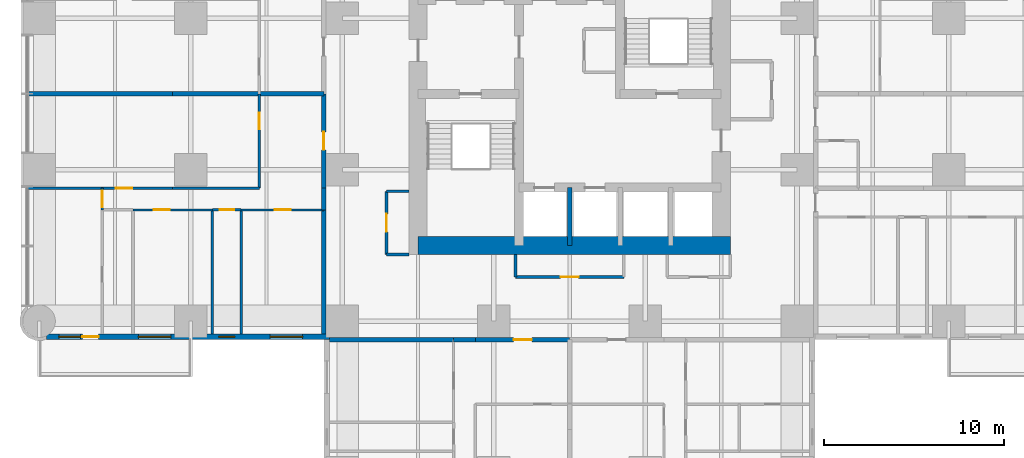
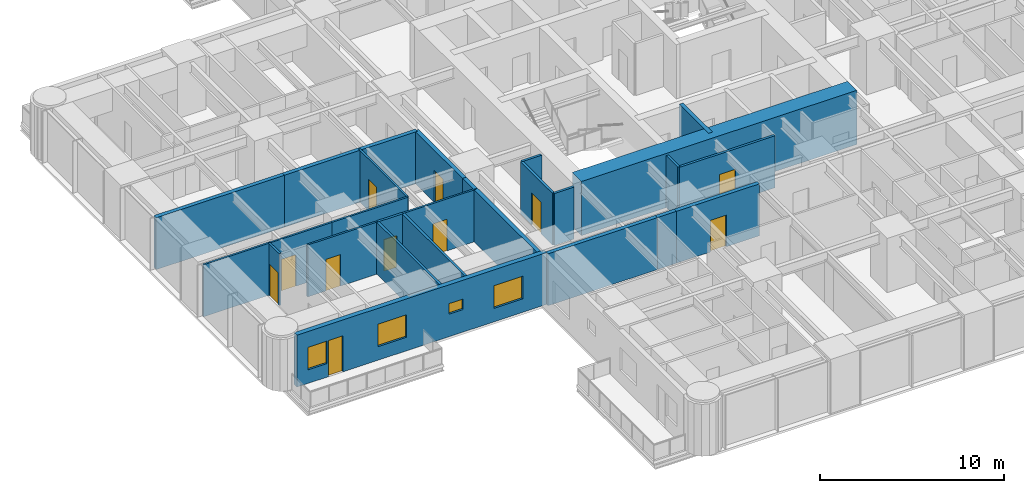
# One storey, part 8 of 17: 27 walls, 11 doors, 4 windows, 15 openings.
"""IFC4 building model written with IfcOpenShell, lengths in metres."""

from ifc_helpers import new_model, si_unit, direction, frame, frame_2d, origin, place, context, subcontext, project, spatial, rectangle, extrude, material, layer, layer_set, type_object, element, fill, save


model = new_model("IFC4")

# Units and contexts
model_context = context("Model", 3, precision=1e-05, world=origin(), true_north=direction((0.0, 1.0)))
body_context = subcontext(model_context, "Body", "Model", "MODEL_VIEW")
ifc_project = project(units=[si_unit("LENGTHUNIT", "METRE"), si_unit("AREAUNIT", "SQUARE_METRE"), si_unit("VOLUMEUNIT", "CUBIC_METRE"), si_unit("PLANEANGLEUNIT", "RADIAN"), si_unit("MASSUNIT", "GRAM", prefix="KILO")], contexts=[model_context])

# Site, building, storey
site_placement = place(None, origin())
site = spatial("IfcSite", under=ifc_project, at=site_placement, CompositionType="ELEMENT")
building_placement = place(site_placement, origin())
building = spatial("IfcBuilding", under=site, at=building_placement, Name="Torre Alcanfor", CompositionType="ELEMENT")
storey_placement = place(building_placement, frame((0.0, 0.0, 59.699951171875)))
storey = spatial("IfcBuildingStorey", under=building, at=storey_placement, Name="L14", CompositionType="ELEMENT", Elevation=59.699951171875)

# Wall, opening, door
ifc_material_1 = material(Name="Concrete block masonry, hollow blocks NMX-C-404 9 MPa", Category="masonry")
ifc_layer_1 = layer(ifc_material_1, 0.25)
ifc_layer_set_1 = layer_set([ifc_layer_1], Name="Apartment entrance wall 250 EI 60")
wall_type_1 = type_object("IfcWallType", Name="Apartment entrance wall 250 EI 60", PredefinedType="PARTITIONING", material=ifc_layer_set_1)
wall_1_placement = place(storey_placement, frame((29.39990234375, 15.77490234375, 0.0), z_axis=(0.0, 0.0, 1.0), x_axis=(-1.0, 0.0, 0.0)))
wall_1 = element("IfcWall", 1, at=wall_1_placement, inside=storey, type_object=wall_type_1, Name="Partition L14-CORR / L14-S2-ZAG", PredefinedType="PARTITIONING", context=body_context, shape_type="SweptSolid", body=[
    extrude(rectangle(XDim=5.22900390625, YDim=0.25, at=frame_2d((2.614501953125, 0.0))), origin(), (0.0, 0.0, 1.0), 3.449951171875),
])
opening_1_placement = place(wall_1_placement, frame((2.10009765625, 0.0, 0.0)))
opening_1 = element("IfcOpeningElement", 2, at=opening_1_placement, cuts=wall_1, Name="Opening D-A1", PredefinedType="OPENING", context=body_context, shape_type="SweptSolid", body=[
    extrude(rectangle(XDim=1.0, YDim=2.10009765625, at=frame_2d((0.5, 1.050048828125))), frame((0.0, 0.135009765625, 0.0), z_axis=(0.0, -1.0, 0.0), x_axis=(1.0, 0.0, 0.0)), (0.0, 0.0, 1.0), 0.27001953125),
])
ifc_material_2 = material(Name="Galvanised steel sheet ASTM A653", Category="steel")
door_type_1 = type_object("IfcDoorType", Name="Apartment entrance door FD60 1000x2100", OperationType="SINGLE_SWING_LEFT", PredefinedType="DOOR", material=ifc_material_2)
door_1_placement = place(opening_1_placement, origin())
door_1 = element("IfcDoor", 3, at=door_1_placement, inside=storey, type_object=door_type_1, Name="Apartment entrance L14-S2", OperationType="SINGLE_SWING_LEFT", OverallHeight=2.10009765625, OverallWidth=1.0, PredefinedType="DOOR", context=body_context, shape_type="SweptSolid", body=[
    extrude(rectangle(XDim=1.0, YDim=2.10009765625, at=frame_2d((0.5, 1.050048828125))), frame((0.0, 0.02490234375, 0.0), z_axis=(0.0, -1.0, 0.0), x_axis=(1.0, 0.0, 0.0)), (0.0, 0.0, 1.0), 0.050048828125),
])
fill(opening_1, door_1)

# Walls
wall_2_placement = place(storey_placement, frame((24.1708984375, 15.77490234375, 0.0), z_axis=(0.0, 0.0, 1.0), x_axis=(-1.0, 0.0, 0.0)))
element("IfcWall", 4, at=wall_2_placement, inside=storey, type_object=wall_type_1, Name="Partition L14-CORR / L14-S2-HALL", PredefinedType="PARTITIONING", context=body_context, shape_type="SweptSolid", body=[
    extrude(rectangle(XDim=1.199951171875, YDim=0.25, at=frame_2d((0.60009765625, 0.0))), origin(), (0.0, 0.0, 1.0), 3.449951171875),
])
wall_3_placement = place(storey_placement, frame((22.970947265625, 15.77490234375, 0.0), z_axis=(0.0, 0.0, 1.0), x_axis=(-1.0, 0.0, 0.0)))
element("IfcWall", 5, at=wall_3_placement, inside=storey, type_object=wall_type_1, Name="Partition L14-CORR / L14-S2-BED3", PredefinedType="PARTITIONING", context=body_context, shape_type="SweptSolid", body=[
    extrude(rectangle(XDim=6.870849609375, YDim=0.25, at=frame_2d((3.435546875, 0.0))), origin(), (0.0, 0.0, 1.0), 3.449951171875),
])

# Wall, opening, door
wall_4_placement = place(storey_placement, frame((15.77490234375, 24.1708984375, 0.0), z_axis=(0.0, 0.0, 1.0), x_axis=(0.0, 1.0, 0.0)))
wall_4 = element("IfcWall", 6, at=wall_4_placement, inside=storey, type_object=wall_type_1, Name="Partition L14-CORR / L14-W1-ZAG", PredefinedType="PARTITIONING", context=body_context, shape_type="SweptSolid", body=[
    extrude(rectangle(XDim=5.22900390625, YDim=0.25, at=frame_2d((2.614501953125, 0.0))), origin(), (0.0, 0.0, 1.0), 3.449951171875),
])
opening_2_placement = place(wall_4_placement, frame((2.12890625, 0.0, 0.0)))
opening_2 = element("IfcOpeningElement", 7, at=opening_2_placement, cuts=wall_4, Name="Opening D-A1", PredefinedType="OPENING", context=body_context, shape_type="SweptSolid", body=[
    extrude(rectangle(XDim=1.0, YDim=2.10009765625, at=frame_2d((0.5, 1.050048828125))), frame((0.0, 0.135009765625, 0.0), z_axis=(0.0, -1.0, 0.0), x_axis=(1.0, 0.0, 0.0)), (0.0, 0.0, 1.0), 0.27001953125),
])
door_2_placement = place(opening_2_placement, origin())
door_2 = element("IfcDoor", 8, at=door_2_placement, inside=storey, type_object=door_type_1, Name="Apartment entrance L14-W1", OperationType="SINGLE_SWING_RIGHT", OverallHeight=2.10009765625, OverallWidth=1.0, PredefinedType="DOOR", context=body_context, shape_type="SweptSolid", body=[
    extrude(rectangle(XDim=1.0, YDim=2.10009765625, at=frame_2d((0.5, 1.050048828125))), frame((0.0, 0.02490234375, 0.0), z_axis=(0.0, -1.0, 0.0), x_axis=(1.0, 0.0, 0.0)), (0.0, 0.0, 1.0), 0.050048828125),
])
fill(opening_2, door_2)

# Walls
wall_5_placement = place(storey_placement, frame((15.77490234375, 22.970947265625, 0.0), z_axis=(0.0, 0.0, 1.0), x_axis=(0.0, 1.0, 0.0)))
element("IfcWall", 9, at=wall_5_placement, inside=storey, type_object=wall_type_1, Name="Partition L14-CORR / L14-W1-HALL", PredefinedType="PARTITIONING", context=body_context, shape_type="SweptSolid", body=[
    extrude(rectangle(XDim=1.199951171875, YDim=0.25, at=frame_2d((0.60009765625, 0.0))), origin(), (0.0, 0.0, 1.0), 3.449951171875),
])
wall_6_placement = place(storey_placement, frame((15.77490234375, 16.10009765625, 0.0), z_axis=(0.0, 0.0, 1.0), x_axis=(0.0, 1.0, 0.0)))
element("IfcWall", 10, at=wall_6_placement, inside=storey, type_object=wall_type_1, Name="Partition L14-CORR / L14-W1-BED3", PredefinedType="PARTITIONING", context=body_context, shape_type="SweptSolid", body=[
    extrude(rectangle(XDim=6.870849609375, YDim=0.25, at=frame_2d((3.435546875, 0.0))), origin(), (0.0, 0.0, 1.0), 3.449951171875),
])

# Wall, opening, door
ifc_material_3 = material(Name="Gypsum board on steel studs", Category="steel")
ifc_layer_2 = layer(ifc_material_3, 0.1201171875)
ifc_layer_set_2 = layer_set([ifc_layer_2], Name="Apartment partition 120")
wall_type_2 = type_object("IfcWallType", Name="Apartment partition 120", PredefinedType="PARTITIONING", material=ifc_layer_set_2)
wall_7_placement = place(storey_placement, frame((12.199951171875, 29.39990234375, 0.0), z_axis=(0.0, 0.0, 1.0), x_axis=(0.0, -1.0, 0.0)))
wall_7 = element("IfcWall", 11, at=wall_7_placement, inside=storey, type_object=wall_type_2, Name="Partition L14-W1-ZAG / L14-W1-KITCHEN", PredefinedType="PARTITIONING", context=body_context, shape_type="SweptSolid", body=[
    extrude(rectangle(XDim=5.22900390625, YDim=0.1201171875, at=frame_2d((2.614501953125, 0.0))), origin(), (0.0, 0.0, 1.0), 3.449951171875),
])
opening_3_placement = place(wall_7_placement, frame((1.050048828125, 0.0, 0.0)))
opening_3 = element("IfcOpeningElement", 12, at=opening_3_placement, cuts=wall_7, Name="Opening D-R1", PredefinedType="OPENING", context=body_context, shape_type="SweptSolid", body=[
    extrude(rectangle(XDim=0.89990234375, YDim=2.10009765625, at=frame_2d((0.449951171875, 1.050048828125))), frame((0.0, 0.070068359375, 0.0), z_axis=(0.0, -1.0, 0.0), x_axis=(1.0, 0.0, 0.0)), (0.0, 0.0, 1.0), 0.14013671875),
])
ifc_material_4 = material(Name="Timber", Category="wood")
door_type_2 = type_object("IfcDoorType", Name="Internal door 900x2100", OperationType="SINGLE_SWING_LEFT", PredefinedType="DOOR", material=ifc_material_4)
door_3_placement = place(opening_3_placement, frame((0.89990234375, 0.0, 0.0), z_axis=(0.0, 0.0, 1.0), x_axis=(-1.0, 0.0, 0.0)))
door_3 = element("IfcDoor", 13, at=door_3_placement, inside=storey, type_object=door_type_2, Name="Door L14-W1 kitchen", OperationType="SINGLE_SWING_RIGHT", OverallHeight=2.10009765625, OverallWidth=0.89990234375, PredefinedType="DOOR", context=body_context, shape_type="SweptSolid", body=[
    extrude(rectangle(XDim=0.89990234375, YDim=2.10009765625, at=frame_2d((0.449951171875, 1.050048828125))), frame((0.0, 0.025146484375, 0.0), z_axis=(0.0, -1.0, 0.0), x_axis=(1.0, 0.0, 0.0)), (0.0, 0.0, 1.0), 0.050048828125),
])
fill(opening_3, door_3)

# Wall
wall_8_placement = place(storey_placement, frame((7.39990234375, 24.1708984375, 0.0), z_axis=(0.0, 0.0, 1.0), x_axis=(1.0, 0.0, 0.0)))
element("IfcWall", 14, at=wall_8_placement, inside=storey, type_object=wall_type_2, Name="Partition L14-W1-KITCHEN / L14-W1-HALL", PredefinedType="PARTITIONING", context=body_context, shape_type="SweptSolid", body=[
    extrude(rectangle(XDim=4.800048828125, YDim=0.1201171875, at=frame_2d((2.39990234375, 0.0))), origin(), (0.0, 0.0, 1.0), 3.449951171875),
])

# Wall, opening, door
wall_9_placement = place(storey_placement, frame((3.5, 24.1708984375, 0.0), z_axis=(0.0, 0.0, 1.0), x_axis=(1.0, 0.0, 0.0)))
wall_9 = element("IfcWall", 15, at=wall_9_placement, inside=storey, type_object=wall_type_2, Name="Partition L14-W1-LIVING / L14-W1-HALL", PredefinedType="PARTITIONING", context=body_context, shape_type="SweptSolid", body=[
    extrude(rectangle(XDim=3.89990234375, YDim=0.1201171875, at=frame_2d((1.949951171875, 0.0))), origin(), (0.0, 0.0, 1.0), 3.449951171875),
])
opening_4_placement = place(wall_9_placement, frame((0.75, 0.0, 0.0)))
opening_4 = element("IfcOpeningElement", 16, at=opening_4_placement, cuts=wall_9, Name="Opening D-R1", PredefinedType="OPENING", context=body_context, shape_type="SweptSolid", body=[
    extrude(rectangle(XDim=0.89990234375, YDim=2.10009765625, at=frame_2d((0.449951171875, 1.050048828125))), frame((0.0, 0.070068359375, 0.0), z_axis=(0.0, -1.0, 0.0), x_axis=(1.0, 0.0, 0.0)), (0.0, 0.0, 1.0), 0.14013671875),
])
door_4_placement = place(opening_4_placement, origin())
door_4 = element("IfcDoor", 17, at=door_4_placement, inside=storey, type_object=door_type_2, Name="Door L14-W1 living", OperationType="SINGLE_SWING_RIGHT", OverallHeight=2.10009765625, OverallWidth=0.89990234375, PredefinedType="DOOR", context=body_context, shape_type="SweptSolid", body=[
    extrude(rectangle(XDim=0.89990234375, YDim=2.10009765625, at=frame_2d((0.449951171875, 1.050048828125))), frame((0.0, 0.02490234375, 0.0), z_axis=(0.0, -1.0, 0.0), x_axis=(1.0, 0.0, 0.0)), (0.0, 0.0, 1.0), 0.050048828125),
])
fill(opening_4, door_4)

# Wall
wall_10_placement = place(storey_placement, frame((-0.64990234375, 24.1708984375, 0.0), z_axis=(0.0, 0.0, 1.0), x_axis=(1.0, 0.0, 0.0)))
element("IfcWall", 18, at=wall_10_placement, inside=storey, type_object=wall_type_2, Name="Partition L14-W1-LIVING / L14-W1-MASTER", PredefinedType="PARTITIONING", context=body_context, shape_type="SweptSolid", body=[
    extrude(rectangle(XDim=4.14990234375, YDim=0.1201171875, at=frame_2d((2.074951171875, 0.0))), origin(), (0.0, 0.0, 1.0), 3.449951171875),
])

# Wall, opening, door
wall_11_placement = place(storey_placement, frame((11.199951171875, 22.970947265625, 0.0), z_axis=(0.0, 0.0, 1.0), x_axis=(1.0, 0.0, 0.0)))
wall_11 = element("IfcWall", 19, at=wall_11_placement, inside=storey, type_object=wall_type_2, Name="Partition L14-W1-HALL / L14-W1-BED3", PredefinedType="PARTITIONING", context=body_context, shape_type="SweptSolid", body=[
    extrude(rectangle(XDim=4.574951171875, YDim=0.1201171875, at=frame_2d((2.28759765625, 0.0))), origin(), (0.0, 0.0, 1.0), 3.449951171875),
])
opening_5_placement = place(wall_11_placement, frame((1.85009765625, 0.0, 0.0)))
opening_5 = element("IfcOpeningElement", 20, at=opening_5_placement, cuts=wall_11, Name="Opening D-R1", PredefinedType="OPENING", context=body_context, shape_type="SweptSolid", body=[
    extrude(rectangle(XDim=0.89990234375, YDim=2.10009765625, at=frame_2d((0.449951171875, 1.050048828125))), frame((0.0, 0.070068359375, 0.0), z_axis=(0.0, -1.0, 0.0), x_axis=(1.0, 0.0, 0.0)), (0.0, 0.0, 1.0), 0.14013671875),
])
door_5_placement = place(opening_5_placement, frame((0.89990234375, 0.0, 0.0), z_axis=(0.0, 0.0, 1.0), x_axis=(-1.0, 0.0, 0.0)))
door_5 = element("IfcDoor", 21, at=door_5_placement, inside=storey, type_object=door_type_2, Name="Door L14-W1 bed3", OperationType="SINGLE_SWING_LEFT", OverallHeight=2.10009765625, OverallWidth=0.89990234375, PredefinedType="DOOR", context=body_context, shape_type="SweptSolid", body=[
    extrude(rectangle(XDim=0.89990234375, YDim=2.10009765625, at=frame_2d((0.449951171875, 1.050048828125))), frame((0.0, 0.025146484375, 0.0), z_axis=(0.0, -1.0, 0.0), x_axis=(1.0, 0.0, 0.0)), (0.0, 0.0, 1.0), 0.050048828125),
])
fill(opening_5, door_5)

wall_12_placement = place(storey_placement, frame((5.199951171875, 22.970947265625, 0.0), z_axis=(0.0, 0.0, 1.0), x_axis=(1.0, 0.0, 0.0)))
wall_12 = element("IfcWall", 22, at=wall_12_placement, inside=storey, type_object=wall_type_2, Name="Partition L14-W1-HALL / L14-W1-BED2", PredefinedType="PARTITIONING", context=body_context, shape_type="SweptSolid", body=[
    extrude(rectangle(XDim=4.400146484375, YDim=0.1201171875, at=frame_2d((2.2001953125, 0.0))), origin(), (0.0, 0.0, 1.0), 3.449951171875),
])
opening_6_placement = place(wall_12_placement, frame((1.14990234375, 0.0, 0.0)))
opening_6 = element("IfcOpeningElement", 23, at=opening_6_placement, cuts=wall_12, Name="Opening D-R1", PredefinedType="OPENING", context=body_context, shape_type="SweptSolid", body=[
    extrude(rectangle(XDim=0.89990234375, YDim=2.10009765625, at=frame_2d((0.449951171875, 1.050048828125))), frame((0.0, 0.070068359375, 0.0), z_axis=(0.0, -1.0, 0.0), x_axis=(1.0, 0.0, 0.0)), (0.0, 0.0, 1.0), 0.14013671875),
])
door_6_placement = place(opening_6_placement, frame((0.89990234375, 0.0, 0.0), z_axis=(0.0, 0.0, 1.0), x_axis=(-1.0, 0.0, 0.0)))
door_6 = element("IfcDoor", 24, at=door_6_placement, inside=storey, type_object=door_type_2, Name="Door L14-W1 bed2", OperationType="SINGLE_SWING_RIGHT", OverallHeight=2.10009765625, OverallWidth=0.89990234375, PredefinedType="DOOR", context=body_context, shape_type="SweptSolid", body=[
    extrude(rectangle(XDim=0.89990234375, YDim=2.10009765625, at=frame_2d((0.449951171875, 1.050048828125))), frame((0.0, 0.025146484375, 0.0), z_axis=(0.0, -1.0, 0.0), x_axis=(1.0, 0.0, 0.0)), (0.0, 0.0, 1.0), 0.050048828125),
])
fill(opening_6, door_6)

wall_13_placement = place(storey_placement, frame((3.5, 24.1708984375, 0.0), z_axis=(0.0, 0.0, 1.0), x_axis=(0.0, -1.0, 0.0)))
wall_13 = element("IfcWall", 25, at=wall_13_placement, inside=storey, type_object=wall_type_2, Name="Partition L14-W1-HALL / L14-W1-MASTER", PredefinedType="PARTITIONING", context=body_context, shape_type="SweptSolid", body=[
    extrude(rectangle(XDim=1.199951171875, YDim=0.1201171875, at=frame_2d((0.60009765625, 0.0))), origin(), (0.0, 0.0, 1.0), 3.449951171875),
])
opening_7_placement = place(wall_13_placement, frame((0.15087890625, 0.0, 0.0)))
opening_7 = element("IfcOpeningElement", 26, at=opening_7_placement, cuts=wall_13, Name="Opening D-R1", PredefinedType="OPENING", context=body_context, shape_type="SweptSolid", body=[
    extrude(rectangle(XDim=0.89990234375, YDim=2.10009765625, at=frame_2d((0.449951171875, 1.050048828125))), frame((0.0, 0.070068359375, 0.0), z_axis=(0.0, -1.0, 0.0), x_axis=(1.0, 0.0, 0.0)), (0.0, 0.0, 1.0), 0.14013671875),
])
door_7_placement = place(opening_7_placement, frame((0.89990234375, 0.0, 0.0), z_axis=(0.0, 0.0, 1.0), x_axis=(-1.0, 0.0, 0.0)))
door_7 = element("IfcDoor", 27, at=door_7_placement, inside=storey, type_object=door_type_2, Name="Door L14-W1 master", OperationType="SINGLE_SWING_RIGHT", OverallHeight=2.10009765625, OverallWidth=0.89990234375, PredefinedType="DOOR", context=body_context, shape_type="SweptSolid", body=[
    extrude(rectangle(XDim=0.89990234375, YDim=2.10009765625, at=frame_2d((0.449951171875, 1.050048828125))), frame((0.0, 0.025146484375, 0.0), z_axis=(0.0, -1.0, 0.0), x_axis=(1.0, 0.0, 0.0)), (0.0, 0.0, 1.0), 0.050048828125),
])
fill(opening_7, door_7)

# Walls
ifc_material_5 = material(Name="Concrete f'c 70 MPa", Category="concrete")
ifc_layer_3 = layer(ifc_material_5, 0.25)
ifc_layer_set_3 = layer_set([ifc_layer_3], Name="Core shaft wall 250 f'c70")
wall_type_3 = type_object("IfcWallType", Name="Core shaft wall 250 f'c70", PredefinedType="SHEAR", material=ifc_layer_set_3)
wall_14_placement = place(storey_placement, frame((29.39990234375, 21.0, 0.0), z_axis=(0.0, 0.0, 1.0), x_axis=(0.0, 1.0, 0.0)))
element("IfcWall", 28, at=wall_14_placement, inside=storey, type_object=wall_type_3, Name="Core wall X294S L14", PredefinedType="SHEAR", context=body_context, shape_type="SweptSolid", body=[
    extrude(rectangle(XDim=3.199951171875, YDim=0.25, at=frame_2d((1.60009765625, 0.0))), origin(), (0.0, 0.0, 1.0), 3.60009765625),
])
ifc_material_6 = material(Name="Concrete f'c 70 MPa", Category="concrete")
ifc_layer_4 = layer(ifc_material_6, 1.0)
ifc_layer_set_4 = layer_set([ifc_layer_4], Name="Core wall 1000 f'c70")
wall_type_4 = type_object("IfcWallType", Name="Core wall 1000 f'c70", PredefinedType="SHEAR", material=ifc_layer_set_4)
wall_15_placement = place(storey_placement, frame((21.0, 21.0, 0.0), z_axis=(0.0, 0.0, 1.0), x_axis=(1.0, 0.0, 0.0)))
element("IfcWall", 29, at=wall_15_placement, inside=storey, type_object=wall_type_4, Name="Core wall OUT-S L14", PredefinedType="SHEAR", context=body_context, shape_type="SweptSolid", body=[
    extrude(rectangle(XDim=17.300048828125, YDim=1.0, at=frame_2d((8.64990234375, 0.0))), origin(), (0.0, 0.0, 1.0), 3.60009765625),
])

# Wall, openings, door, windows
ifc_material_7 = material(Name="Limestone cladding", Category="masonry")
ifc_layer_5 = layer(ifc_material_7, 0.0400390625, Name="Facing")
ifc_material_8 = material(Name="Ventilated air cavity")
ifc_layer_6 = layer(ifc_material_8, 0.02001953125, ventilated=True, Name="Ventilated joint")
ifc_material_9 = material(Name="Mineral wool insulation", Category="insulation")
ifc_layer_7 = layer(ifc_material_9, 0.10009765625, Name="Insulation")
ifc_material_10 = material(Name="Concrete f'c 35 MPa", Category="concrete")
ifc_layer_8 = layer(ifc_material_10, 0.139892578125, Name="Backing")
ifc_layer_set_5 = layer_set([ifc_layer_5, ifc_layer_6, ifc_layer_7, ifc_layer_8], Name="External wall stone-clad 300")
wall_type_5 = type_object("IfcWallType", Name="External wall stone-clad 300", PredefinedType="SOLIDWALL", material=ifc_layer_set_5)
wall_16_placement = place(storey_placement, frame((0.39990234375, 15.949951171875, 0.0), z_axis=(0.0, 0.0, 1.0), x_axis=(1.0, 0.0, 0.0)))
wall_16 = element("IfcWall", 30, at=wall_16_placement, inside=storey, type_object=wall_type_5, Name="External wall L14 3", PredefinedType="SOLIDWALL", context=body_context, shape_type="SweptSolid", body=[
    extrude(rectangle(XDim=15.7001953125, YDim=0.300048828125, at=frame_2d((7.85009765625, 0.0))), origin(), (0.0, 0.0, 1.0), 3.449951171875),
])
opening_8_placement = place(wall_16_placement, frame((12.39990234375, 0.0, 0.89990234375)))
opening_8 = element("IfcOpeningElement", 31, at=opening_8_placement, cuts=wall_16, Name="Opening W2", PredefinedType="OPENING", context=body_context, shape_type="SweptSolid", body=[
    extrude(rectangle(XDim=1.800048828125, YDim=1.5, at=frame_2d((0.89990234375, 0.75))), frame((0.0, 0.159912109375, 0.0), z_axis=(0.0, -1.0, 0.0), x_axis=(1.0, 0.0, 0.0)), (0.0, 0.0, 1.0), 0.320068359375),
])
opening_9_placement = place(wall_16_placement, frame((9.550048828125, 0.0, 1.5)))
opening_9 = element("IfcOpeningElement", 32, at=opening_9_placement, cuts=wall_16, Name="Opening W3", PredefinedType="OPENING", context=body_context, shape_type="SweptSolid", body=[
    extrude(rectangle(XDim=0.89990234375, YDim=0.699951171875, at=frame_2d((0.449951171875, 0.35009765625))), frame((0.0, 0.159912109375, 0.0), z_axis=(0.0, -1.0, 0.0), x_axis=(1.0, 0.0, 0.0)), (0.0, 0.0, 1.0), 0.320068359375),
])
opening_10_placement = place(wall_16_placement, frame((5.10009765625, 0.0, 0.89990234375)))
opening_10 = element("IfcOpeningElement", 33, at=opening_10_placement, cuts=wall_16, Name="Opening W2", PredefinedType="OPENING", context=body_context, shape_type="SweptSolid", body=[
    extrude(rectangle(XDim=1.800048828125, YDim=1.5, at=frame_2d((0.89990234375, 0.75))), frame((0.0, 0.159912109375, 0.0), z_axis=(0.0, -1.0, 0.0), x_axis=(1.0, 0.0, 0.0)), (0.0, 0.0, 1.0), 0.320068359375),
])
opening_11_placement = place(wall_16_placement, frame((2.0, 0.0, 0.0)))
opening_11 = element("IfcOpeningElement", 34, at=opening_11_placement, cuts=wall_16, Name="Opening D-B1", PredefinedType="OPENING", context=body_context, shape_type="SweptSolid", body=[
    extrude(rectangle(XDim=0.89990234375, YDim=2.39990234375, at=frame_2d((0.449951171875, 1.199951171875))), frame((0.0, 0.159912109375, 0.0), z_axis=(0.0, -1.0, 0.0), x_axis=(1.0, 0.0, 0.0)), (0.0, 0.0, 1.0), 0.320068359375),
])
opening_12_placement = place(wall_16_placement, frame((0.699951171875, 0.0, 0.89990234375)))
opening_12 = element("IfcOpeningElement", 35, at=opening_12_placement, cuts=wall_16, Name="Opening W4", PredefinedType="OPENING", context=body_context, shape_type="SweptSolid", body=[
    extrude(rectangle(XDim=1.199951171875, YDim=1.5, at=frame_2d((0.60009765625, 0.75))), frame((0.0, 0.159912109375, 0.0), z_axis=(0.0, -1.0, 0.0), x_axis=(1.0, 0.0, 0.0)), (0.0, 0.0, 1.0), 0.320068359375),
])
ifc_material_11 = material(Name="Aluminium and glass", Category="aluminium")
door_type_3 = type_object("IfcDoorType", Name="Balcony door glazed 900x2400", OperationType="SINGLE_SWING_LEFT", PredefinedType="DOOR", material=ifc_material_11)
door_8_placement = place(opening_11_placement, origin())
door_8 = element("IfcDoor", 36, at=door_8_placement, inside=storey, type_object=door_type_3, Name="Balcony door L14-W1", OperationType="SINGLE_SWING_RIGHT", OverallHeight=2.39990234375, OverallWidth=0.89990234375, PredefinedType="DOOR", context=body_context, shape_type="SweptSolid", body=[
    extrude(rectangle(XDim=0.89990234375, YDim=2.39990234375, at=frame_2d((0.449951171875, 1.199951171875))), frame((0.0, 0.02490234375, 0.0), z_axis=(0.0, -1.0, 0.0), x_axis=(1.0, 0.0, 0.0)), (0.0, 0.0, 1.0), 0.050048828125),
])
fill(opening_11, door_8)
ifc_material_12 = material(Name="Aluminium frame with clear double glazing", Category="aluminium")
window_type_1 = type_object("IfcWindowType", Name="Window bathroom 900x700", PartitioningType="SINGLE_PANEL", PredefinedType="WINDOW", material=ifc_material_12)
window_1_placement = place(opening_9_placement, origin())
window_1 = element("IfcWindow", 37, at=window_1_placement, inside=storey, type_object=window_type_1, Name="Window W3 L14-W1", OverallHeight=0.699951171875, OverallWidth=0.89990234375, PartitioningType="SINGLE_PANEL", PredefinedType="WINDOW", context=body_context, shape_type="SweptSolid", body=[
    extrude(rectangle(XDim=0.89990234375, YDim=0.699951171875, at=frame_2d((0.449951171875, 0.35009765625))), frame((0.0, 0.030029296875, 0.0), z_axis=(0.0, -1.0, 0.0), x_axis=(1.0, 0.0, 0.0)), (0.0, 0.0, 1.0), 0.06005859375),
])
fill(opening_9, window_1)
ifc_material_13 = material(Name="Aluminium frame with clear double glazing", Category="aluminium")
window_type_2 = type_object("IfcWindowType", Name="Window bedroom 1200x1500", PartitioningType="SINGLE_PANEL", PredefinedType="WINDOW", material=ifc_material_13)
window_2_placement = place(opening_12_placement, origin())
window_2 = element("IfcWindow", 38, at=window_2_placement, inside=storey, type_object=window_type_2, Name="Window W4 L14-W1", OverallHeight=1.5, OverallWidth=1.199951171875, PartitioningType="SINGLE_PANEL", PredefinedType="WINDOW", context=body_context, shape_type="SweptSolid", body=[
    extrude(rectangle(XDim=1.199951171875, YDim=1.5, at=frame_2d((0.60009765625, 0.75))), frame((0.0, 0.030029296875, 0.0), z_axis=(0.0, -1.0, 0.0), x_axis=(1.0, 0.0, 0.0)), (0.0, 0.0, 1.0), 0.06005859375),
])
fill(opening_12, window_2)
ifc_material_14 = material(Name="Aluminium frame with clear double glazing", Category="aluminium")
window_type_3 = type_object("IfcWindowType", Name="Window bedroom 1800x1500", PartitioningType="SINGLE_PANEL", PredefinedType="WINDOW", material=ifc_material_14)
window_3_placement = place(opening_8_placement, origin())
window_3 = element("IfcWindow", 39, at=window_3_placement, inside=storey, type_object=window_type_3, Name="Window W2 L14-W1", OverallHeight=1.5, OverallWidth=1.800048828125, PartitioningType="SINGLE_PANEL", PredefinedType="WINDOW", context=body_context, shape_type="SweptSolid", body=[
    extrude(rectangle(XDim=1.800048828125, YDim=1.5, at=frame_2d((0.89990234375, 0.75))), frame((0.0, 0.030029296875, 0.0), z_axis=(0.0, -1.0, 0.0), x_axis=(1.0, 0.0, 0.0)), (0.0, 0.0, 1.0), 0.06005859375),
])
fill(opening_8, window_3)
window_4_placement = place(opening_10_placement, origin())
window_4 = element("IfcWindow", 40, at=window_4_placement, inside=storey, type_object=window_type_3, Name="Window W2 L14-W1", OverallHeight=1.5, OverallWidth=1.800048828125, PartitioningType="SINGLE_PANEL", PredefinedType="WINDOW", context=body_context, shape_type="SweptSolid", body=[
    extrude(rectangle(XDim=1.800048828125, YDim=1.5, at=frame_2d((0.89990234375, 0.75))), frame((0.0, 0.030029296875, 0.0), z_axis=(0.0, -1.0, 0.0), x_axis=(1.0, 0.0, 0.0)), (0.0, 0.0, 1.0), 0.06005859375),
])
fill(opening_10, window_4)

# Walls
ifc_material_15 = material(Name="Concrete block masonry, hollow blocks NMX-C-404 9 MPa", Category="masonry")
ifc_layer_9 = layer(ifc_material_15, 0.25)
ifc_layer_set_6 = layer_set([ifc_layer_9], Name="Party wall 250 EI 60")
wall_type_6 = type_object("IfcWallType", Name="Party wall 250 EI 60", PredefinedType="PARTITIONING", material=ifc_layer_set_6)
wall_17_placement = place(storey_placement, frame((15.77490234375, 29.39990234375, 0.0), z_axis=(0.0, 0.0, 1.0), x_axis=(-1.0, 0.0, 0.0)))
element("IfcWall", 41, at=wall_17_placement, inside=storey, type_object=wall_type_6, Name="Partition L14-W1-ZAG / L14-W2-ZAG", PredefinedType="PARTITIONING", context=body_context, shape_type="SweptSolid", body=[
    extrude(rectangle(XDim=3.574951171875, YDim=0.25, at=frame_2d((1.78759765625, 0.0))), origin(), (0.0, 0.0, 1.0), 3.449951171875),
])
wall_18_placement = place(storey_placement, frame((12.199951171875, 29.39990234375, 0.0), z_axis=(0.0, 0.0, 1.0), x_axis=(-1.0, 0.0, 0.0)))
element("IfcWall", 42, at=wall_18_placement, inside=storey, type_object=wall_type_6, Name="Partition L14-W1-KITCHEN / L14-W2-KITCHEN", PredefinedType="PARTITIONING", context=body_context, shape_type="SweptSolid", body=[
    extrude(rectangle(XDim=4.800048828125, YDim=0.25, at=frame_2d((2.39990234375, 0.0))), origin(), (0.0, 0.0, 1.0), 3.449951171875),
])
wall_19_placement = place(storey_placement, frame((7.39990234375, 29.39990234375, 0.0), z_axis=(0.0, 0.0, 1.0), x_axis=(-1.0, 0.0, 0.0)))
element("IfcWall", 43, at=wall_19_placement, inside=storey, type_object=wall_type_6, Name="Partition L14-W1-LIVING / L14-W2-LIVING", PredefinedType="PARTITIONING", context=body_context, shape_type="SweptSolid", body=[
    extrude(rectangle(XDim=8.0498046875, YDim=0.25, at=frame_2d((4.02490234375, 0.0))), origin(), (0.0, 0.0, 1.0), 3.449951171875),
])
ifc_material_16 = material(Name="Concrete block masonry, hollow blocks NMX-C-404 9 MPa", Category="masonry")
ifc_layer_10 = layer(ifc_material_16, 0.14990234375)
ifc_layer_set_7 = layer_set([ifc_layer_10], Name="Residents' room partition 150")
wall_type_7 = type_object("IfcWallType", Name="Residents' room partition 150", PredefinedType="PARTITIONING", material=ifc_layer_set_7)
wall_20_placement = place(storey_placement, frame((26.39990234375, 20.5, 0.0), z_axis=(0.0, 0.0, 1.0), x_axis=(0.0, -1.0, 0.0)))
element("IfcWall", 44, at=wall_20_placement, inside=storey, type_object=wall_type_7, Name="Partition L14-CORR / L14-G04", PredefinedType="PARTITIONING", context=body_context, shape_type="SweptSolid", body=[
    extrude(rectangle(XDim=1.25, YDim=0.14990234375, at=frame_2d((0.625, 0.0))), origin(), (0.0, 0.0, 1.0), 3.449951171875),
])

# Wall, opening, door
wall_21_placement = place(storey_placement, frame((26.39990234375, 19.25, 0.0), z_axis=(0.0, 0.0, 1.0), x_axis=(1.0, 0.0, 0.0)))
wall_21 = element("IfcWall", 45, at=wall_21_placement, inside=storey, type_object=wall_type_7, Name="Partition L14-CORR / L14-G04", PredefinedType="PARTITIONING", context=body_context, shape_type="SweptSolid", body=[
    extrude(rectangle(XDim=6.0, YDim=0.14990234375, at=frame_2d((3.0, 0.0))), origin(), (0.0, 0.0, 1.0), 3.449951171875),
])
opening_13_placement = place(wall_21_placement, frame((2.5, 0.0, 0.0)))
opening_13 = element("IfcOpeningElement", 46, at=opening_13_placement, cuts=wall_21, Name="Opening D-M1", PredefinedType="OPENING", context=body_context, shape_type="SweptSolid", body=[
    extrude(rectangle(XDim=1.0, YDim=2.10009765625, at=frame_2d((0.5, 1.050048828125))), frame((0.0, 0.0849609375, 0.0), z_axis=(0.0, -1.0, 0.0), x_axis=(1.0, 0.0, 0.0)), (0.0, 0.0, 1.0), 0.169921875),
])
ifc_material_17 = material(Name="Timber", Category="wood")
door_type_4 = type_object("IfcDoorType", Name="Residents' room door 1000x2100", OperationType="SINGLE_SWING_LEFT", PredefinedType="DOOR", material=ifc_material_17)
door_9_placement = place(opening_13_placement, origin())
door_9 = element("IfcDoor", 47, at=door_9_placement, inside=storey, type_object=door_type_4, Name="Door L14-G04 parcel room", OperationType="SINGLE_SWING_LEFT", OverallHeight=2.10009765625, OverallWidth=1.0, PredefinedType="DOOR", context=body_context, shape_type="SweptSolid", body=[
    extrude(rectangle(XDim=1.0, YDim=2.10009765625, at=frame_2d((0.5, 1.050048828125))), frame((0.0, 0.02490234375, 0.0), z_axis=(0.0, -1.0, 0.0), x_axis=(1.0, 0.0, 0.0)), (0.0, 0.0, 1.0), 0.050048828125),
])
fill(opening_13, door_9)

# Wall
wall_22_placement = place(storey_placement, frame((20.5, 24.0, 0.0), z_axis=(0.0, 0.0, 1.0), x_axis=(-1.0, 0.0, 0.0)))
element("IfcWall", 48, at=wall_22_placement, inside=storey, type_object=wall_type_7, Name="Partition L14-CORR / L14-G06", PredefinedType="PARTITIONING", context=body_context, shape_type="SweptSolid", body=[
    extrude(rectangle(XDim=1.25, YDim=0.14990234375, at=frame_2d((0.625, 0.0))), origin(), (0.0, 0.0, 1.0), 3.449951171875),
])

# Wall, opening, door
wall_23_placement = place(storey_placement, frame((19.25, 24.0, 0.0), z_axis=(0.0, 0.0, 1.0), x_axis=(0.0, -1.0, 0.0)))
wall_23 = element("IfcWall", 49, at=wall_23_placement, inside=storey, type_object=wall_type_7, Name="Partition L14-CORR / L14-G06", PredefinedType="PARTITIONING", context=body_context, shape_type="SweptSolid", body=[
    extrude(rectangle(XDim=3.5, YDim=0.14990234375, at=frame_2d((1.75, 0.0))), origin(), (0.0, 0.0, 1.0), 3.449951171875),
])
opening_14_placement = place(wall_23_placement, frame((1.25, 0.0, 0.0)))
opening_14 = element("IfcOpeningElement", 50, at=opening_14_placement, cuts=wall_23, Name="Opening D-M1", PredefinedType="OPENING", context=body_context, shape_type="SweptSolid", body=[
    extrude(rectangle(XDim=1.0, YDim=2.10009765625, at=frame_2d((0.5, 1.050048828125))), frame((0.0, 0.0849609375, 0.0), z_axis=(0.0, -1.0, 0.0), x_axis=(1.0, 0.0, 0.0)), (0.0, 0.0, 1.0), 0.169921875),
])
door_10_placement = place(opening_14_placement, origin())
door_10 = element("IfcDoor", 51, at=door_10_placement, inside=storey, type_object=door_type_4, Name="Door L14-G06 cleaners' store", OperationType="SINGLE_SWING_LEFT", OverallHeight=2.10009765625, OverallWidth=1.0, PredefinedType="DOOR", context=body_context, shape_type="SweptSolid", body=[
    extrude(rectangle(XDim=1.0, YDim=2.10009765625, at=frame_2d((0.5, 1.050048828125))), frame((0.0, 0.02490234375, 0.0), z_axis=(0.0, -1.0, 0.0), x_axis=(1.0, 0.0, 0.0)), (0.0, 0.0, 1.0), 0.050048828125),
])
fill(opening_14, door_10)

# Wall
wall_24_placement = place(storey_placement, frame((19.25, 20.5, 0.0), z_axis=(0.0, 0.0, 1.0), x_axis=(1.0, 0.0, 0.0)))
element("IfcWall", 52, at=wall_24_placement, inside=storey, type_object=wall_type_7, Name="Partition L14-CORR / L14-G06", PredefinedType="PARTITIONING", context=body_context, shape_type="SweptSolid", body=[
    extrude(rectangle(XDim=1.25, YDim=0.14990234375, at=frame_2d((0.625, 0.0))), origin(), (0.0, 0.0, 1.0), 3.449951171875),
])

# Wall, opening, door
ifc_material_18 = material(Name="Cement board on steel studs", Category="steel")
ifc_layer_11 = layer(ifc_material_18, 0.14990234375)
ifc_layer_set_8 = layer_set([ifc_layer_11], Name="Wet area partition 150")
wall_type_8 = type_object("IfcWallType", Name="Wet area partition 150", PredefinedType="PARTITIONING", material=ifc_layer_set_8)
wall_25_placement = place(storey_placement, frame((9.60009765625, 22.970947265625, 0.0), z_axis=(0.0, 0.0, 1.0), x_axis=(1.0, 0.0, 0.0)))
wall_25 = element("IfcWall", 53, at=wall_25_placement, inside=storey, type_object=wall_type_8, Name="Partition L14-W1-HALL / L14-W1-BATH1", PredefinedType="PARTITIONING", context=body_context, shape_type="SweptSolid", body=[
    extrude(rectangle(XDim=1.599853515625, YDim=0.14990234375, at=frame_2d((0.7998046875, 0.0))), origin(), (0.0, 0.0, 1.0), 3.449951171875),
])
opening_15_placement = place(wall_25_placement, frame((0.39990234375, 0.0, 0.0)))
opening_15 = element("IfcOpeningElement", 54, at=opening_15_placement, cuts=wall_25, Name="Opening D-R2", PredefinedType="OPENING", context=body_context, shape_type="SweptSolid", body=[
    extrude(rectangle(XDim=0.800048828125, YDim=2.10009765625, at=frame_2d((0.39990234375, 1.050048828125))), frame((0.0, 0.0849609375, 0.0), z_axis=(0.0, -1.0, 0.0), x_axis=(1.0, 0.0, 0.0)), (0.0, 0.0, 1.0), 0.169921875),
])
ifc_material_19 = material(Name="Timber", Category="wood")
door_type_5 = type_object("IfcDoorType", Name="Bathroom door 800x2100", OperationType="SINGLE_SWING_LEFT", PredefinedType="DOOR", material=ifc_material_19)
door_11_placement = place(opening_15_placement, frame((0.800048828125, 0.0, 0.0), z_axis=(0.0, 0.0, 1.0), x_axis=(-1.0, 0.0, 0.0)))
door_11 = element("IfcDoor", 55, at=door_11_placement, inside=storey, type_object=door_type_5, Name="Door L14-W1 bath1", OperationType="SINGLE_SWING_RIGHT", OverallHeight=2.10009765625, OverallWidth=0.800048828125, PredefinedType="DOOR", context=body_context, shape_type="SweptSolid", body=[
    extrude(rectangle(XDim=0.800048828125, YDim=2.10009765625, at=frame_2d((0.400146484375, 1.050048828125))), frame((0.0, 0.025146484375, 0.0), z_axis=(0.0, -1.0, 0.0), x_axis=(1.0, 0.0, 0.0)), (0.0, 0.0, 1.0), 0.050048828125),
])
fill(opening_15, door_11)

# Walls
for number, where, z_axis, x_axis, name in (
    (56, (11.199951171875, 22.970947265625, 0.0), (0.0, 0.0, 1.0), (0.0, -1.0, 0.0), "Partition L14-W1-BED3 / L14-W1-BATH1"),
    (57, (9.60009765625, 22.970947265625, 0.0), (0.0, 0.0, 1.0), (0.0, -1.0, 0.0), "Partition L14-W1-BATH1 / L14-W1-BED2"),
):
    element("IfcWall", number, at=place(storey_placement, frame(where, z_axis=z_axis, x_axis=x_axis)), inside=storey, type_object=wall_type_8, Name=name, PredefinedType="PARTITIONING", context=body_context, shape_type="SweptSolid", body=[
        extrude(rectangle(XDim=6.870849609375, YDim=0.14990234375, at=frame_2d((3.435546875, 0.0))), origin(), (0.0, 0.0, 1.0), 3.449951171875),
    ])

save(model, "model.ifc")
